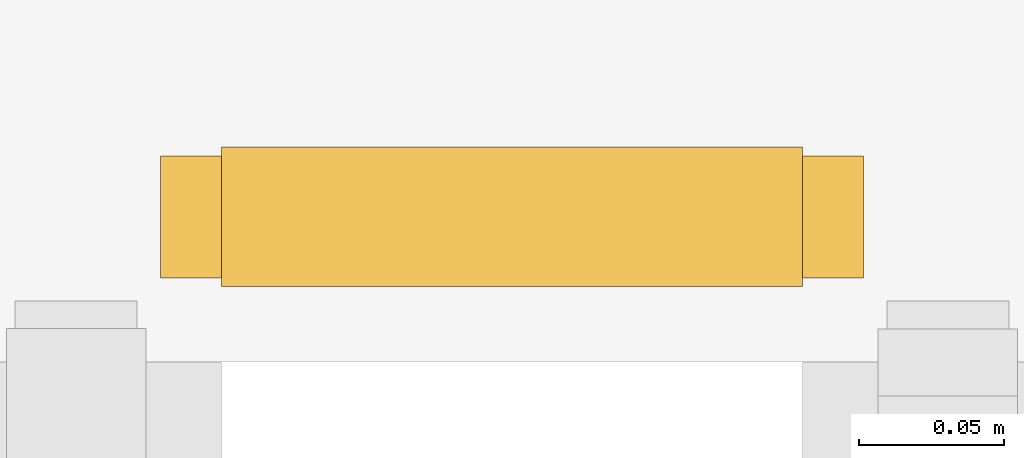
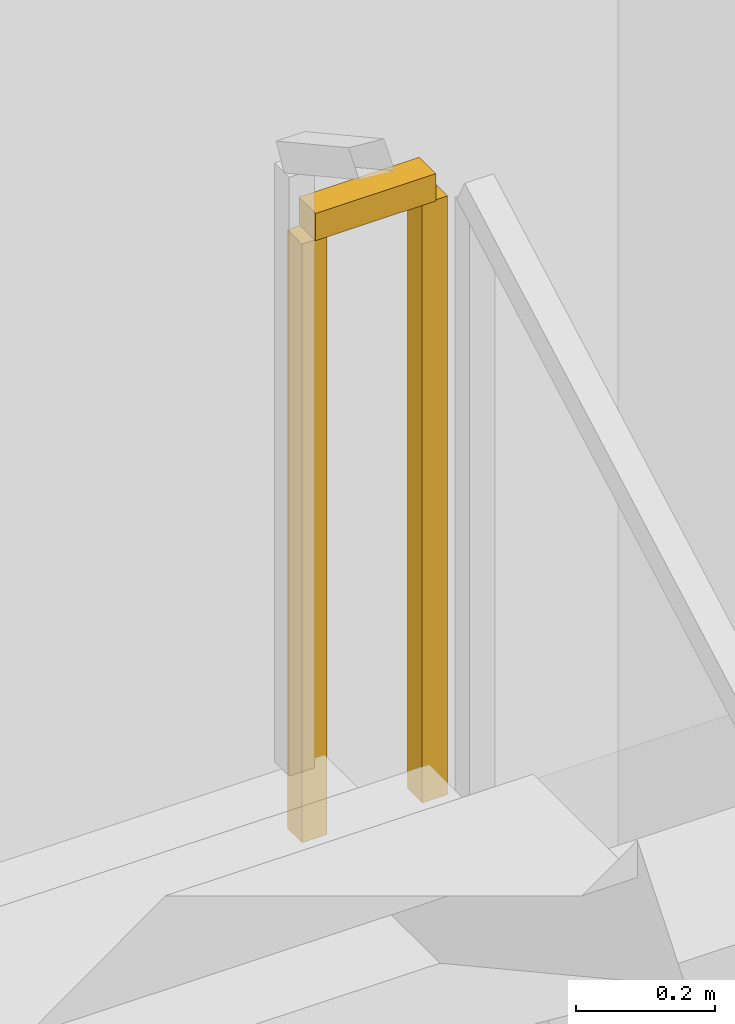
# One storey, part 24 of 25: 1 railing.
"""IFC4 building model written with IfcOpenShell, lengths in metres."""

from ifc_helpers import new_model, si_unit, direction, frame, origin, place, context, subcontext, project, spatial, rectangle, extrude, material, type_object, element, save


model = new_model("IFC4")

# Units and contexts
model_context = context("Model", 3, precision=1e-05, world=origin(), true_north=direction((0.0, 1.0)))
body_context = subcontext(model_context, "Body", "Model", "MODEL_VIEW")
ifc_project = project(units=[si_unit("LENGTHUNIT", "METRE"), si_unit("AREAUNIT", "SQUARE_METRE"), si_unit("VOLUMEUNIT", "CUBIC_METRE"), si_unit("PLANEANGLEUNIT", "RADIAN"), si_unit("MASSUNIT", "GRAM", prefix="KILO")], contexts=[model_context])

# Site, building, storey
site_placement = place(None, origin())
site = spatial("IfcSite", under=ifc_project, at=site_placement, CompositionType="ELEMENT")
building_placement = place(site_placement, origin())
building = spatial("IfcBuilding", under=site, at=building_placement, Name="Tanjung Sevakor Pilgrim Tower", CompositionType="ELEMENT")
storey_placement = place(building_placement, frame((0.0, 0.0, 24.090087890625)))
storey = spatial("IfcBuildingStorey", under=building, at=storey_placement, Name="L06", CompositionType="ELEMENT", Elevation=24.090087890625)

# Railing
ifc_material = material(Name="Steel S355J2", Category="steel")
railing_type = type_object("IfcRailingType", Name="RL-STAIR-GUARD", PredefinedType="GUARDRAIL", material=ifc_material)
railing_placement = place(storey_placement, frame((88.0, 40.050048828125, 2.474853515625)))
element("IfcRailing", 1, at=railing_placement, inside=storey, type_object=railing_type, Name="L06 TS-E2 stair guard 2", PredefinedType="GUARDRAIL", context=body_context, shape_type="SweptSolid", body=[
    extrude(rectangle(XDim=0.0479, YDim=0.0479), frame((0.0, 0.0, 1.076171875), z_axis=(-1.0, 0.0, 0.0), x_axis=(0.0, -1.0, 0.0)), (0.0, 0.0, 1.0), 0.199951171875),
    extrude(rectangle(XDim=0.042, YDim=0.042), origin(), (0.0, 0.0, 1.0), 1.052001953125),
    extrude(rectangle(XDim=0.042, YDim=0.042), frame((-0.199951171875, 0.0, 0.0)), (0.0, 0.0, 1.0), 1.052001953125),
])

save(model, "model.ifc")
